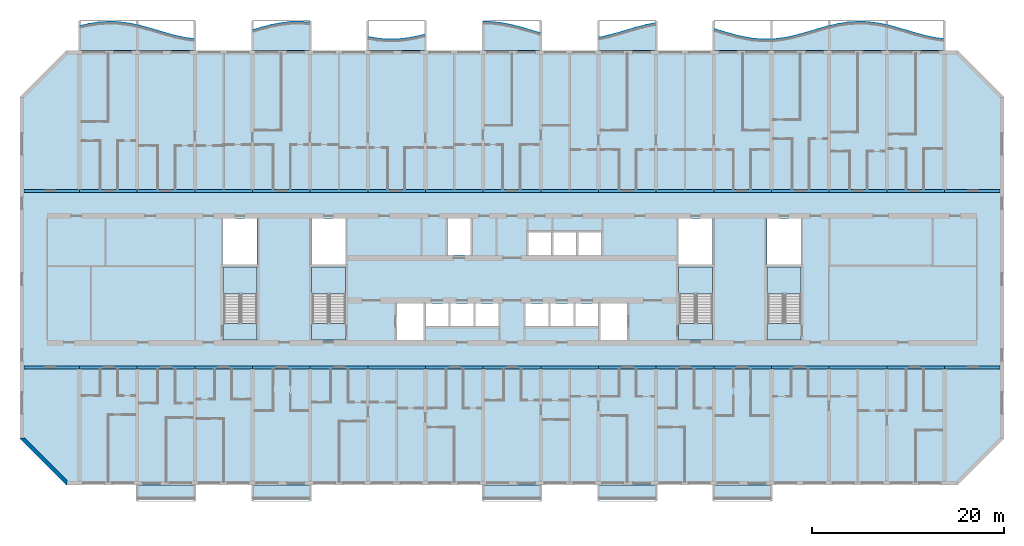
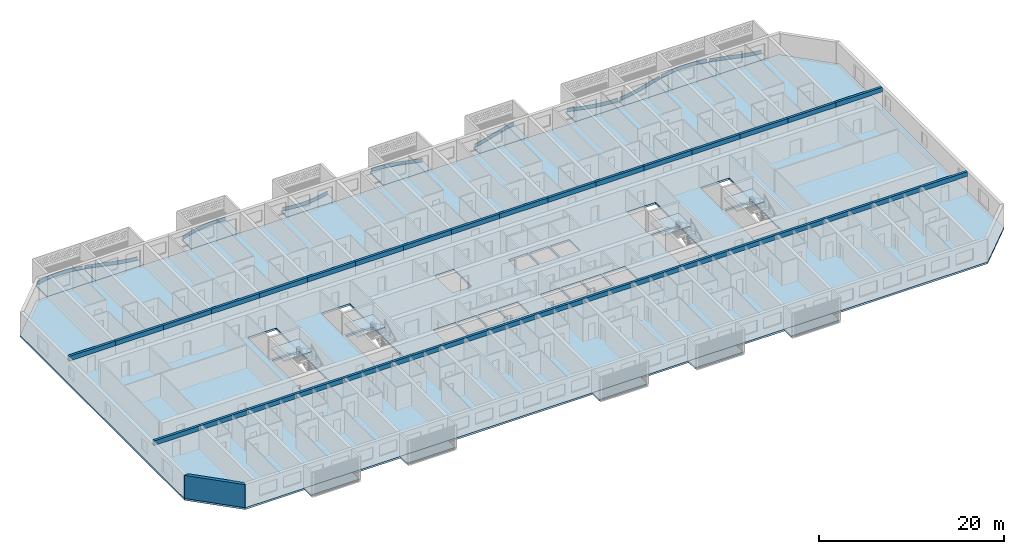
# One storey, part 1 of 40: 34 beams, 24 slabs, 10 plates, 1 wall, 4 elements without a shape of their own.
"""IFC4 building model written with IfcOpenShell, lengths in metres."""

from ifc_helpers import new_model, si_unit, direction, frame, origin, origin_2d, place, context, subcontext, project, spatial, polyline, rectangle, outline, extrude, source, transform, mapped, material, layer, layer_set, material_profile, profile_set, type_object, element, aggregate, save


model = new_model("IFC4")

# Units and contexts
model_context = context("Model", 3, precision=1e-05, world=origin(), true_north=direction((0.0, 1.0)))
body_context = subcontext(model_context, "Body", "Model", "MODEL_VIEW")
ifc_project = project(units=[si_unit("LENGTHUNIT", "METRE"), si_unit("AREAUNIT", "SQUARE_METRE"), si_unit("VOLUMEUNIT", "CUBIC_METRE"), si_unit("PLANEANGLEUNIT", "RADIAN"), si_unit("MASSUNIT", "GRAM", prefix="KILO")], contexts=[model_context])

# Site, building, storey
site_placement = place(None, origin())
site = spatial("IfcSite", under=ifc_project, at=site_placement, CompositionType="ELEMENT")
building_placement = place(site_placement, origin())
building = spatial("IfcBuilding", under=site, at=building_placement, Name="Poui Terraces", CompositionType="ELEMENT")
storey_placement = place(building_placement, frame((0.0, 0.0, 36.60009765625)))
storey = spatial("IfcBuildingStorey", under=building, at=storey_placement, Name="L09", CompositionType="ELEMENT", Elevation=36.60009765625)

# Beams
ifc_material_1 = material(Name="Concrete 80 MPa", Category="concrete")
ifc_material_profile = material_profile(ifc_material_1, rectangle(XDim=0.300048828125, YDim=0.60009765625, at=origin_2d()), Name="RC 300x600")
ifc_profile_set = profile_set([ifc_material_profile], Name="Concrete 80 MPa")
beam_type = type_object("IfcBeamType", Name="COUPLING BEAM 300x600 80MPa", PredefinedType="BEAM", material=ifc_profile_set)
shared_shape_1 = source(origin(), body_context, "Body", "SweptSolid", [
    extrude(rectangle(XDim=0.300048828125, YDim=0.60009765625, at=origin_2d()), origin(), (0.0, 0.0, 1.0), 6.0),
])
for number, where, z_axis, x_axis, name in (
    (1, (6.0, 12.0, 2.75), (1.0, 0.0, 0.0), (0.0, 1.0, 0.0), "COUPLING BEAM LINE B BAY 2"),
    (2, (12.0, 12.0, 2.75), (1.0, 0.0, 0.0), (0.0, 1.0, 0.0), "COUPLING BEAM LINE B BAY 3"),
    (3, (18.0, 12.0, 2.75), (1.0, 0.0, 0.0), (0.0, 1.0, 0.0), "COUPLING BEAM LINE B BAY 4"),
    (4, (24.0, 12.0, 2.75), (1.0, 0.0, 0.0), (0.0, 1.0, 0.0), "COUPLING BEAM LINE B BAY 5"),
    (5, (30.0, 12.0, 2.75), (1.0, 0.0, 0.0), (0.0, 1.0, 0.0), "COUPLING BEAM LINE B BAY 6"),
    (6, (36.0, 12.0, 2.75), (1.0, 0.0, 0.0), (0.0, 1.0, 0.0), "COUPLING BEAM LINE B BAY 7"),
    (7, (42.0, 12.0, 2.75), (1.0, 0.0, 0.0), (0.0, 1.0, 0.0), "COUPLING BEAM LINE B BAY 8"),
    (8, (48.0, 12.0, 2.75), (1.0, 0.0, 0.0), (0.0, 1.0, 0.0), "COUPLING BEAM LINE B BAY 9"),
    (9, (54.0, 12.0, 2.75), (1.0, 0.0, 0.0), (0.0, 1.0, 0.0), "COUPLING BEAM LINE B BAY 10"),
    (10, (60.0, 12.0, 2.75), (1.0, 0.0, 0.0), (0.0, 1.0, 0.0), "COUPLING BEAM LINE B BAY 11"),
    (11, (66.0, 12.0, 2.75), (1.0, 0.0, 0.0), (0.0, 1.0, 0.0), "COUPLING BEAM LINE B BAY 12"),
    (12, (72.0, 12.0, 2.75), (1.0, 0.0, 0.0), (0.0, 1.0, 0.0), "COUPLING BEAM LINE B BAY 13"),
    (13, (78.0, 12.0, 2.75), (1.0, 0.0, 0.0), (0.0, 1.0, 0.0), "COUPLING BEAM LINE B BAY 14"),
    (14, (84.0, 12.0, 2.75), (1.0, 0.0, 0.0), (0.0, 1.0, 0.0), "COUPLING BEAM LINE B BAY 15"),
    (15, (90.0, 12.0, 2.75), (1.0, 0.0, 0.0), (0.0, 1.0, 0.0), "COUPLING BEAM LINE B BAY 16"),
    (16, (6.0, 30.39990234375, 2.75), (1.0, 0.0, 0.0), (0.0, 1.0, 0.0), "COUPLING BEAM LINE E BAY 2"),
    (17, (12.0, 30.39990234375, 2.75), (1.0, 0.0, 0.0), (0.0, 1.0, 0.0), "COUPLING BEAM LINE E BAY 3"),
    (18, (18.0, 30.39990234375, 2.75), (1.0, 0.0, 0.0), (0.0, 1.0, 0.0), "COUPLING BEAM LINE E BAY 4"),
    (19, (24.0, 30.39990234375, 2.75), (1.0, 0.0, 0.0), (0.0, 1.0, 0.0), "COUPLING BEAM LINE E BAY 5"),
    (20, (30.0, 30.39990234375, 2.75), (1.0, 0.0, 0.0), (0.0, 1.0, 0.0), "COUPLING BEAM LINE E BAY 6"),
    (21, (36.0, 30.39990234375, 2.75), (1.0, 0.0, 0.0), (0.0, 1.0, 0.0), "COUPLING BEAM LINE E BAY 7"),
    (22, (42.0, 30.39990234375, 2.75), (1.0, 0.0, 0.0), (0.0, 1.0, 0.0), "COUPLING BEAM LINE E BAY 8"),
    (23, (48.0, 30.39990234375, 2.75), (1.0, 0.0, 0.0), (0.0, 1.0, 0.0), "COUPLING BEAM LINE E BAY 9"),
    (24, (54.0, 30.39990234375, 2.75), (1.0, 0.0, 0.0), (0.0, 1.0, 0.0), "COUPLING BEAM LINE E BAY 10"),
    (25, (60.0, 30.39990234375, 2.75), (1.0, 0.0, 0.0), (0.0, 1.0, 0.0), "COUPLING BEAM LINE E BAY 11"),
    (26, (66.0, 30.39990234375, 2.75), (1.0, 0.0, 0.0), (0.0, 1.0, 0.0), "COUPLING BEAM LINE E BAY 12"),
    (27, (72.0, 30.39990234375, 2.75), (1.0, 0.0, 0.0), (0.0, 1.0, 0.0), "COUPLING BEAM LINE E BAY 13"),
    (28, (78.0, 30.39990234375, 2.75), (1.0, 0.0, 0.0), (0.0, 1.0, 0.0), "COUPLING BEAM LINE E BAY 14"),
    (29, (84.0, 30.39990234375, 2.75), (1.0, 0.0, 0.0), (0.0, 1.0, 0.0), "COUPLING BEAM LINE E BAY 15"),
    (30, (90.0, 30.39990234375, 2.75), (1.0, 0.0, 0.0), (0.0, 1.0, 0.0), "COUPLING BEAM LINE E BAY 16"),
):
    element("IfcBeam", number, at=place(storey_placement, frame(where, z_axis=z_axis, x_axis=x_axis)), inside=storey, type_object=beam_type, Name=name, PredefinedType="BEAM", context=body_context, shape_type="MappedRepresentation", body=[
        mapped(shared_shape_1, transform((0.0, 0.0, 0.0))),
    ])
shared_shape_2 = source(origin(), body_context, "Body", "SweptSolid", [
    extrude(rectangle(XDim=0.300048828125, YDim=0.60009765625, at=origin_2d()), origin(), (0.0, 0.0, 1.0), 5.800048828125),
])
for number, where, z_axis, x_axis, name in (
    (31, (0.199951171875, 12.0, 2.75), (1.0, 0.0, 0.0), (0.0, 1.0, 0.0), "COUPLING BEAM LINE B BAY 1"),
    (32, (96.0, 12.0, 2.75), (1.0, 0.0, 0.0), (0.0, 1.0, 0.0), "COUPLING BEAM LINE B BAY 17"),
    (33, (0.199951171875, 30.39990234375, 2.75), (1.0, 0.0, 0.0), (0.0, 1.0, 0.0), "COUPLING BEAM LINE E BAY 1"),
    (34, (96.0, 30.39990234375, 2.75), (1.0, 0.0, 0.0), (0.0, 1.0, 0.0), "COUPLING BEAM LINE E BAY 17"),
):
    element("IfcBeam", number, at=place(storey_placement, frame(where, z_axis=z_axis, x_axis=x_axis)), inside=storey, type_object=beam_type, Name=name, PredefinedType="BEAM", context=body_context, shape_type="MappedRepresentation", body=[
        mapped(shared_shape_2, transform((0.0, 0.0, 0.0))),
    ])

# Slabs
ifc_material_2 = material(Name="Precast concrete 40 MPa", Category="concrete")
ifc_layer_1 = layer(ifc_material_2, 0.199951171875)
ifc_layer_set_1 = layer_set([ifc_layer_1], Name="Precast concrete 40 MPa")
slab_type_1 = type_object("IfcSlabType", Name="BALCONY SLAB 200", PredefinedType="FLOOR", material=ifc_layer_set_1)
slab_1_placement = place(storey_placement, frame((0.0, 0.0, -0.2001953125)))
element("IfcSlab", 35, at=slab_1_placement, inside=storey, type_object=slab_type_1, Name="BALCONY SLAB", PredefinedType="FLOOR", context=body_context, shape_type="SweptSolid", body=[
    extrude(outline(polyline([(6.0, 45.0), (12.0, 45.0), (12.0, 47.600341796875), (11.0, 47.800048828125), (10.0, 47.920166015625), (9.0, 47.947998046875), (8.0, 47.880859375), (7.0, 47.7255859375), (6.0, 47.498291015625), (6.0, 45.0)])), origin(), (0.0, 0.0, 1.0), 0.2001953125),
])
slab_2_placement = place(storey_placement, frame((0.0, 0.0, -0.2001953125)))
element("IfcSlab", 36, at=slab_2_placement, inside=storey, type_object=slab_type_1, Name="BALCONY SLAB", PredefinedType="FLOOR", context=body_context, shape_type="SweptSolid", body=[
    extrude(outline(polyline([(12.0, 45.0), (18.0, 45.0), (18.0, 46.143798828125), (17.0, 46.278076171875), (16.0, 46.489501953125), (15.0, 46.755615234375), (14.0, 47.0498046875), (13.0, 47.34130859375), (12.0, 47.600341796875), (12.0, 45.0)])), origin(), (0.0, 0.0, 1.0), 0.2001953125),
])
slab_3_placement = place(storey_placement, frame((0.0, 0.0, -0.2001953125)))
element("IfcSlab", 37, at=slab_3_placement, inside=storey, type_object=slab_type_1, Name="BALCONY SLAB", PredefinedType="FLOOR", context=body_context, shape_type="SweptSolid", body=[
    extrude(outline(polyline([(24.0, 45.0), (30.0, 45.0), (30.0, 47.87109375), (29.0, 47.94580078125), (28.0, 47.926025390625), (27.0, 47.8134765625), (26.0, 47.61962890625), (25.0, 47.364501953125), (24.0, 47.07470703125), (24.0, 45.0)])), origin(), (0.0, 0.0, 1.0), 0.2001953125),
])
slab_4_placement = place(storey_placement, frame((0.0, 0.0, -0.2001953125)))
element("IfcSlab", 38, at=slab_4_placement, inside=storey, type_object=slab_type_1, Name="BALCONY SLAB", PredefinedType="FLOOR", context=body_context, shape_type="SweptSolid", body=[
    extrude(outline(polyline([(36.0, 45.0), (42.0, 45.0), (42.0, 46.6396484375), (41.0, 46.393310546875), (40.0, 46.2119140625), (39.0, 46.114013671875), (38.0, 46.110107421875), (37.0, 46.2001953125), (36.0, 46.375244140625), (36.0, 45.0)])), origin(), (0.0, 0.0, 1.0), 0.2001953125),
])
slab_5_placement = place(storey_placement, frame((0.0, 0.0, -0.2001953125)))
element("IfcSlab", 39, at=slab_5_placement, inside=storey, type_object=slab_type_1, Name="BALCONY SLAB", PredefinedType="FLOOR", context=body_context, shape_type="SweptSolid", body=[
    extrude(outline(polyline([(48.0, 45.0), (54.0, 45.0), (54.0, 46.755615234375), (53.0, 47.0498046875), (52.0, 47.34130859375), (51.0, 47.600341796875), (50.0, 47.800048828125), (49.0, 47.920166015625), (48.0, 47.947998046875), (48.0, 45.0)])), origin(), (0.0, 0.0, 1.0), 0.2001953125),
])
slab_6_placement = place(storey_placement, frame((0.0, 0.0, -0.2001953125)))
element("IfcSlab", 40, at=slab_6_placement, inside=storey, type_object=slab_type_1, Name="BALCONY SLAB", PredefinedType="FLOOR", context=body_context, shape_type="SweptSolid", body=[
    extrude(outline(polyline([(60.0, 45.0), (66.0, 45.0), (66.0, 47.8134765625), (65.0, 47.61962890625), (64.0, 47.364501953125), (63.0, 47.07470703125), (62.0, 46.779541015625), (61.0, 46.509765625), (60.0, 46.29296875), (60.0, 45.0)])), origin(), (0.0, 0.0, 1.0), 0.2001953125),
])
slab_7_placement = place(storey_placement, frame((0.0, 0.0, -0.2001953125)))
element("IfcSlab", 41, at=slab_7_placement, inside=storey, type_object=slab_type_1, Name="BALCONY SLAB", PredefinedType="FLOOR", context=body_context, shape_type="SweptSolid", body=[
    extrude(outline(polyline([(72.0, 45.0), (78.0, 45.0), (78.0, 46.114013671875), (77.0, 46.110107421875), (76.0, 46.2001953125), (75.0, 46.375244140625), (74.0, 46.6171875), (73.0, 46.901123046875), (72.0, 47.19775390625), (72.0, 45.0)])), origin(), (0.0, 0.0, 1.0), 0.2001953125),
])
slab_8_placement = place(storey_placement, frame((0.0, 0.0, -0.2001953125)))
element("IfcSlab", 42, at=slab_8_placement, inside=storey, type_object=slab_type_1, Name="BALCONY SLAB", PredefinedType="FLOOR", context=body_context, shape_type="SweptSolid", body=[
    extrude(outline(polyline([(78.0, 45.0), (84.0, 45.0), (84.0, 47.498291015625), (83.0, 47.22216796875), (82.0, 46.92578125), (81.0, 46.6396484375), (80.0, 46.393310546875), (79.0, 46.2119140625), (78.0, 46.114013671875), (78.0, 45.0)])), origin(), (0.0, 0.0, 1.0), 0.2001953125),
])
slab_9_placement = place(storey_placement, frame((0.0, 0.0, -0.2001953125)))
element("IfcSlab", 43, at=slab_9_placement, inside=storey, type_object=slab_type_1, Name="BALCONY SLAB", PredefinedType="FLOOR", context=body_context, shape_type="SweptSolid", body=[
    extrude(outline(polyline([(84.0, 45.0), (90.0, 45.0), (90.0, 47.600341796875), (89.0, 47.800048828125), (88.0, 47.920166015625), (87.0, 47.947998046875), (86.0, 47.880859375), (85.0, 47.7255859375), (84.0, 47.498291015625), (84.0, 45.0)])), origin(), (0.0, 0.0, 1.0), 0.2001953125),
])
slab_10_placement = place(storey_placement, frame((0.0, 0.0, -0.2001953125)))
element("IfcSlab", 44, at=slab_10_placement, inside=storey, type_object=slab_type_1, Name="BALCONY SLAB", PredefinedType="FLOOR", context=body_context, shape_type="SweptSolid", body=[
    extrude(outline(polyline([(90.0, 45.0), (96.0, 45.0), (96.0, 46.143798828125), (95.0, 46.278076171875), (94.0, 46.489501953125), (93.0, 46.755615234375), (92.0, 47.0498046875), (91.0, 47.34130859375), (90.0, 47.600341796875), (90.0, 45.0)])), origin(), (0.0, 0.0, 1.0), 0.2001953125),
])

# Stair, slabs
stair_type = type_object("IfcStairType", Name="EXIT STAIR 1650 80 MPA", PredefinedType="HALF_TURN_STAIR", material=ifc_material_1)
stair_1_placement = place(storey_placement, origin())
stair_1 = element("IfcStair", 45, at=stair_1_placement, inside=storey, type_object=stair_type, Name="L09 CORE STAIR EAST", PredefinedType="HALF_TURN_STAIR")
ifc_layer_2 = layer(ifc_material_1, 0.199951171875)
ifc_layer_set_2 = layer_set([ifc_layer_2], Name="Concrete 80 MPa")
slab_type_2 = type_object("IfcSlabType", Name="STAIR LANDING 200 80 MPA", PredefinedType="LANDING", material=ifc_layer_set_2)
slab_11_placement = place(storey_placement, frame((0.0, 0.0, 1.44970703125)))
slab_11 = element("IfcSlab", 46, at=slab_11_placement, type_object=slab_type_2, Name="ST-CE landing 1", PredefinedType="LANDING", context=body_context, shape_type="SweptSolid", body=[
    extrude(outline(polyline([(68.324951171875, 19.679931640625), (71.875, 19.679931640625), (71.875, 22.47509765625), (68.324951171875, 22.47509765625), (68.324951171875, 19.679931640625)])), origin(), (0.0, 0.0, 1.0), 0.2001953125),
])
slab_12_placement = place(storey_placement, frame((0.0, 0.0, -0.2001953125)))
slab_12 = element("IfcSlab", 47, at=slab_12_placement, type_object=slab_type_2, Name="ST-CE landing 2", PredefinedType="LANDING", context=body_context, shape_type="SweptSolid", body=[
    extrude(outline(polyline([(68.324951171875, 14.89990234375), (71.875, 14.89990234375), (71.875, 16.60009765625), (68.324951171875, 16.60009765625), (68.324951171875, 14.89990234375)])), origin(), (0.0, 0.0, 1.0), 0.2001953125),
])
aggregate(stair_1, [slab_11, slab_12])

stair_2_placement = place(storey_placement, origin())
stair_2 = element("IfcStair", 48, at=stair_2_placement, inside=storey, type_object=stair_type, Name="L09 CORE STAIR WEST", PredefinedType="HALF_TURN_STAIR")
slab_13_placement = place(storey_placement, frame((0.0, 0.0, 1.44970703125)))
slab_13 = element("IfcSlab", 49, at=slab_13_placement, type_object=slab_type_2, Name="ST-CW landing 1", PredefinedType="LANDING", context=body_context, shape_type="SweptSolid", body=[
    extrude(outline(polyline([(30.125, 19.679931640625), (33.675048828125, 19.679931640625), (33.675048828125, 22.47509765625), (30.125, 22.47509765625), (30.125, 19.679931640625)])), origin(), (0.0, 0.0, 1.0), 0.2001953125),
])
slab_14_placement = place(storey_placement, frame((0.0, 0.0, -0.2001953125)))
slab_14 = element("IfcSlab", 50, at=slab_14_placement, type_object=slab_type_2, Name="ST-CW landing 2", PredefinedType="LANDING", context=body_context, shape_type="SweptSolid", body=[
    extrude(outline(polyline([(30.125, 14.89990234375), (33.675048828125, 14.89990234375), (33.675048828125, 16.60009765625), (30.125, 16.60009765625), (30.125, 14.89990234375)])), origin(), (0.0, 0.0, 1.0), 0.2001953125),
])
aggregate(stair_2, [slab_13, slab_14])

stair_3_placement = place(storey_placement, origin())
stair_3 = element("IfcStair", 51, at=stair_3_placement, inside=storey, type_object=stair_type, Name="L09 TIP STAIR EAST", PredefinedType="HALF_TURN_STAIR")
slab_15_placement = place(storey_placement, frame((0.0, 0.0, 1.44970703125)))
slab_15 = element("IfcSlab", 52, at=slab_15_placement, type_object=slab_type_2, Name="ST-E landing 1", PredefinedType="LANDING", context=body_context, shape_type="SweptSolid", body=[
    extrude(outline(polyline([(77.52490234375, 19.679931640625), (81.074951171875, 19.679931640625), (81.074951171875, 22.47509765625), (77.52490234375, 22.47509765625), (77.52490234375, 19.679931640625)])), origin(), (0.0, 0.0, 1.0), 0.2001953125),
])
slab_16_placement = place(storey_placement, frame((0.0, 0.0, -0.2001953125)))
slab_16 = element("IfcSlab", 53, at=slab_16_placement, type_object=slab_type_2, Name="ST-E landing 2", PredefinedType="LANDING", context=body_context, shape_type="SweptSolid", body=[
    extrude(outline(polyline([(77.52490234375, 14.89990234375), (81.074951171875, 14.89990234375), (81.074951171875, 16.60009765625), (77.52490234375, 16.60009765625), (77.52490234375, 14.89990234375)])), origin(), (0.0, 0.0, 1.0), 0.2001953125),
])
aggregate(stair_3, [slab_15, slab_16])

stair_4_placement = place(storey_placement, origin())
stair_4 = element("IfcStair", 54, at=stair_4_placement, inside=storey, type_object=stair_type, Name="L09 TIP STAIR WEST", PredefinedType="HALF_TURN_STAIR")
slab_17_placement = place(storey_placement, frame((0.0, 0.0, 1.44970703125)))
slab_17 = element("IfcSlab", 55, at=slab_17_placement, type_object=slab_type_2, Name="ST-W landing 1", PredefinedType="LANDING", context=body_context, shape_type="SweptSolid", body=[
    extrude(outline(polyline([(20.925048828125, 19.679931640625), (24.47509765625, 19.679931640625), (24.47509765625, 22.47509765625), (20.925048828125, 22.47509765625), (20.925048828125, 19.679931640625)])), origin(), (0.0, 0.0, 1.0), 0.2001953125),
])
slab_18_placement = place(storey_placement, frame((0.0, 0.0, -0.2001953125)))
slab_18 = element("IfcSlab", 56, at=slab_18_placement, type_object=slab_type_2, Name="ST-W landing 2", PredefinedType="LANDING", context=body_context, shape_type="SweptSolid", body=[
    extrude(outline(polyline([(20.925048828125, 14.89990234375), (24.47509765625, 14.89990234375), (24.47509765625, 16.60009765625), (20.925048828125, 16.60009765625), (20.925048828125, 14.89990234375)])), origin(), (0.0, 0.0, 1.0), 0.2001953125),
])
aggregate(stair_4, [slab_17, slab_18])

# Plates
ifc_layer_3 = layer(ifc_material_2, 0.080078125)
ifc_layer_set_3 = layer_set([ifc_layer_3], Name="Precast concrete 40 MPa")
plate_type = type_object("IfcPlateType", Name="SUNSHADE UPSTAND 80", PredefinedType="SHEET", material=ifc_layer_set_3)
plate_1_placement = place(storey_placement, origin())
element("IfcPlate", 57, at=plate_1_placement, inside=storey, type_object=plate_type, Name="SUNSHADE UPSTAND", PredefinedType="SHEET", context=body_context, shape_type="SweptSolid", body=[
    extrude(outline(polyline([(6.99267578125, 47.719970703125), (6.1162109375, 47.52392578125), (6.1337890625, 47.44580078125), (7.00732421875, 47.64111328125), (8.00439453125, 47.7958984375), (9.000732421875, 47.86279296875), (9.9970703125, 47.835205078125), (10.993896484375, 47.715576171875), (11.8671875, 47.544921875), (11.8828125, 47.623291015625), (11.006103515625, 47.794677734375), (10.0029296875, 47.9150390625), (8.999267578125, 47.943115234375), (7.99560546875, 47.87548828125), (6.99267578125, 47.719970703125)])), origin(), (0.0, 0.0, 1.0), 0.449951171875),
])
plate_2_placement = place(storey_placement, origin())
element("IfcPlate", 58, at=plate_2_placement, inside=storey, type_object=plate_type, Name="SUNSHADE UPSTAND", PredefinedType="SHEET", context=body_context, shape_type="SweptSolid", body=[
    extrude(outline(polyline([(13.0107421875, 47.3349609375), (12.135009765625, 47.564453125), (12.114990234375, 47.487060546875), (12.9892578125, 47.2578125), (13.98876953125, 46.96630859375), (14.9892578125, 46.672119140625), (15.99072265625, 46.405517578125), (16.9931640625, 46.193603515625), (17.869384765625, 46.0712890625), (17.880615234375, 46.150390625), (17.0068359375, 46.2724609375), (16.00927734375, 46.4833984375), (15.0107421875, 46.749267578125), (14.01123046875, 47.043212890625), (13.0107421875, 47.3349609375)])), origin(), (0.0, 0.0, 1.0), 0.449951171875),
])
plate_3_placement = place(storey_placement, origin())
element("IfcPlate", 59, at=plate_3_placement, inside=storey, type_object=plate_type, Name="SUNSHADE UPSTAND", PredefinedType="SHEET", context=body_context, shape_type="SweptSolid", body=[
    extrude(outline(polyline([(24.989501953125, 47.358154296875), (24.114013671875, 47.105224609375), (24.135986328125, 47.0283203125), (25.010498046875, 47.281005859375), (26.0087890625, 47.535400390625), (27.006103515625, 47.728759765625), (28.002685546875, 47.841064453125), (28.9990234375, 47.86083984375), (29.872314453125, 47.800537109375), (29.877685546875, 47.880126953125), (29.856201171875, 47.8818359375), (29.0009765625, 47.94091796875), (27.997314453125, 47.9208984375), (26.993896484375, 47.807861328125), (25.9912109375, 47.613525390625), (24.989501953125, 47.358154296875)])), origin(), (0.0, 0.0, 1.0), 0.449951171875),
])
plate_4_placement = place(storey_placement, origin())
element("IfcPlate", 60, at=plate_4_placement, inside=storey, type_object=plate_type, Name="SUNSHADE UPSTAND", PredefinedType="SHEET", context=body_context, shape_type="SweptSolid", body=[
    extrude(outline(polyline([(37.005126953125, 46.195068359375), (36.131591796875, 46.34375), (36.118408203125, 46.264892578125), (36.994873046875, 46.115478515625), (37.998291015625, 46.025146484375), (39.001953125, 46.029052734375), (40.005615234375, 46.127197265625), (41.00830078125, 46.30908203125), (41.884521484375, 46.522216796875), (41.865478515625, 46.60009765625), (40.99169921875, 46.387451171875), (39.994384765625, 46.206298828125), (38.998046875, 46.10888671875), (38.001708984375, 46.10498046875), (37.005126953125, 46.195068359375)])), origin(), (0.0, 0.0, 1.0), 0.449951171875),
])
plate_5_placement = place(storey_placement, origin())
element("IfcPlate", 61, at=plate_5_placement, inside=storey, type_object=plate_type, Name="SUNSHADE UPSTAND", PredefinedType="SHEET", context=body_context, shape_type="SweptSolid", body=[
    extrude(outline(polyline([(49.003173828125, 47.9150390625), (48.16748046875, 47.943359375), (48.126220703125, 47.9443359375), (48.12353515625, 47.86474609375), (48.996826171875, 47.835205078125), (49.99365234375, 47.715576171875), (50.9912109375, 47.516357421875), (51.989501953125, 47.2578125), (52.98876953125, 46.966552734375), (53.86376953125, 46.708251953125), (53.88623046875, 46.784912109375), (53.01123046875, 47.043212890625), (52.010498046875, 47.3349609375), (51.0087890625, 47.59423828125), (50.00634765625, 47.794677734375), (49.003173828125, 47.9150390625)])), origin(), (0.0, 0.0, 1.0), 0.449951171875),
])
plate_6_placement = place(storey_placement, origin())
element("IfcPlate", 62, at=plate_6_placement, inside=storey, type_object=plate_type, Name="SUNSHADE UPSTAND", PredefinedType="SHEET", context=body_context, shape_type="SweptSolid", body=[
    extrude(outline(polyline([(60.990478515625, 46.503662109375), (60.116455078125, 46.310546875), (60.133544921875, 46.232421875), (61.009521484375, 46.42578125), (62.010986328125, 46.696044921875), (63.01123046875, 46.9912109375), (64.010498046875, 47.281005859375), (65.0087890625, 47.53564453125), (65.8828125, 47.708984375), (65.8671875, 47.78759765625), (64.9912109375, 47.613525390625), (63.989501953125, 47.358154296875), (62.98876953125, 47.068115234375), (61.989013671875, 46.773193359375), (60.990478515625, 46.503662109375)])), origin(), (0.0, 0.0, 1.0), 0.449951171875),
])
plate_7_placement = place(storey_placement, origin())
element("IfcPlate", 63, at=plate_7_placement, inside=storey, type_object=plate_type, Name="SUNSHADE UPSTAND", PredefinedType="SHEET", context=body_context, shape_type="SweptSolid", body=[
    extrude(outline(polyline([(73.01123046875, 46.89453125), (72.136474609375, 47.154541015625), (72.113525390625, 47.077880859375), (72.98876953125, 46.81787109375), (73.98974609375, 46.53369140625), (74.99169921875, 46.291259765625), (75.99462890625, 46.115478515625), (76.998291015625, 46.025146484375), (77.875, 46.023193359375), (77.875, 46.103271484375), (77.001708984375, 46.10498046875), (76.00537109375, 46.19482421875), (75.00830078125, 46.369384765625), (74.01025390625, 46.611083984375), (73.01123046875, 46.89453125)])), origin(), (0.0, 0.0, 1.0), 0.449951171875),
])
plate_8_placement = place(storey_placement, origin())
element("IfcPlate", 64, at=plate_8_placement, inside=storey, type_object=plate_type, Name="SUNSHADE UPSTAND", PredefinedType="SHEET", context=body_context, shape_type="SweptSolid", body=[
    extrude(outline(polyline([(78.994384765625, 46.206298828125), (78.120849609375, 46.115966796875), (78.129150390625, 46.03662109375), (79.005615234375, 46.127197265625), (80.00830078125, 46.30908203125), (81.01025390625, 46.55615234375), (82.01123046875, 46.84228515625), (83.010986328125, 47.138671875), (83.8857421875, 47.38232421875), (83.8642578125, 47.45947265625), (82.989013671875, 47.215576171875), (81.98876953125, 46.919189453125), (80.98974609375, 46.63330078125), (79.99169921875, 46.387451171875), (78.994384765625, 46.206298828125)])), origin(), (0.0, 0.0, 1.0), 0.449951171875),
])
plate_9_placement = place(storey_placement, origin())
element("IfcPlate", 65, at=plate_9_placement, inside=storey, type_object=plate_type, Name="SUNSHADE UPSTAND", PredefinedType="SHEET", context=body_context, shape_type="SweptSolid", body=[
    extrude(outline(polyline([(84.99267578125, 47.719970703125), (84.1162109375, 47.52392578125), (84.1337890625, 47.44580078125), (85.00732421875, 47.64111328125), (86.00439453125, 47.7958984375), (87.000732421875, 47.86279296875), (87.9970703125, 47.835205078125), (88.993896484375, 47.715576171875), (89.8671875, 47.544921875), (89.8828125, 47.623291015625), (89.006103515625, 47.794677734375), (88.0029296875, 47.9150390625), (86.999267578125, 47.943115234375), (85.99560546875, 47.87548828125), (84.99267578125, 47.719970703125)])), origin(), (0.0, 0.0, 1.0), 0.449951171875),
])
plate_10_placement = place(storey_placement, origin())
element("IfcPlate", 66, at=plate_10_placement, inside=storey, type_object=plate_type, Name="SUNSHADE UPSTAND", PredefinedType="SHEET", context=body_context, shape_type="SweptSolid", body=[
    extrude(outline(polyline([(91.0107421875, 47.3349609375), (90.135009765625, 47.564453125), (90.114990234375, 47.487060546875), (90.9892578125, 47.2578125), (91.98876953125, 46.96630859375), (92.9892578125, 46.672119140625), (93.99072265625, 46.405517578125), (94.9931640625, 46.193603515625), (95.869384765625, 46.0712890625), (95.880615234375, 46.150390625), (95.0068359375, 46.2724609375), (94.00927734375, 46.4833984375), (93.0107421875, 46.749267578125), (92.01123046875, 47.043212890625), (91.0107421875, 47.3349609375)])), origin(), (0.0, 0.0, 1.0), 0.449951171875),
])

# Slabs
ifc_material_3 = material(Name="Concrete 40 MPa", Category="concrete")
ifc_layer_4 = layer(ifc_material_3, 0.25)
ifc_layer_set_4 = layer_set([ifc_layer_4], Name="Concrete 40 MPa")
slab_type_3 = type_object("IfcSlabType", Name="FLOOR SLAB 250", PredefinedType="FLOOR", material=ifc_layer_set_4)
shared_shape_3 = source(origin(), body_context, "Body", "SweptSolid", [
    extrude(outline(polyline([(0.0, 0.0), (4.800048828125, -4.800048828125), (97.599853515625, -4.800048828125), (102.39990234375, 0.0), (102.39990234375, 35.599853515625), (97.599853515625, 40.39990234375), (4.800048828125, 40.39990234375), (0.0, 35.599853515625), (0.0, 0.0)]), holes=[polyline([(39.199951171875, 10.2998046875), (39.199951171875, 14.099853515625), (42.0, 14.099853515625), (42.0, 10.2998046875), (39.199951171875, 10.2998046875)]), polyline([(42.199951171875, 11.699951171875), (42.199951171875, 14.099853515625), (44.599853515625, 14.099853515625), (44.599853515625, 11.699951171875), (42.199951171875, 11.699951171875)]), polyline([(44.800048828125, 11.699951171875), (44.800048828125, 14.099853515625), (47.199951171875, 14.099853515625), (47.199951171875, 11.699951171875), (44.800048828125, 11.699951171875)]), polyline([(47.39990234375, 14.099853515625), (49.800048828125, 14.099853515625), (49.800048828125, 11.699951171875), (47.39990234375, 11.699951171875), (47.39990234375, 14.099853515625)]), polyline([(52.599853515625, 14.099853515625), (55.0, 14.099853515625), (55.0, 11.699951171875), (52.599853515625, 11.699951171875), (52.599853515625, 14.099853515625)]), polyline([(21.224853515625, 17.849853515625), (24.675048828125, 17.849853515625), (24.675048828125, 12.0), (24.675048828125, 10.2998046875), (21.125, 10.2998046875), (21.125, 12.0), (21.224853515625, 12.0), (21.224853515625, 17.849853515625)]), polyline([(30.425048828125, 17.849853515625), (33.875, 17.849853515625), (33.875, 12.0), (33.875, 10.2998046875), (30.324951171875, 10.2998046875), (30.324951171875, 12.0), (30.425048828125, 12.0), (30.425048828125, 17.849853515625)]), polyline([(21.125, 18.125), (21.125, 22.89990234375), (24.675048828125, 22.89990234375), (24.675048828125, 18.125), (21.125, 18.125)]), polyline([(30.324951171875, 22.89990234375), (33.875, 22.89990234375), (33.875, 18.125), (30.324951171875, 18.125), (30.324951171875, 22.89990234375)]), polyline([(44.5, 22.89990234375), (46.89990234375, 22.89990234375), (46.89990234375, 19.099853515625), (44.5, 19.099853515625), (44.5, 22.89990234375)]), polyline([(60.39990234375, 10.2998046875), (60.39990234375, 14.099853515625), (63.199951171875, 14.099853515625), (63.199951171875, 10.2998046875), (60.39990234375, 10.2998046875)]), polyline([(55.199951171875, 11.699951171875), (55.199951171875, 14.099853515625), (57.599853515625, 14.099853515625), (57.599853515625, 11.699951171875), (55.199951171875, 11.699951171875)]), polyline([(57.800048828125, 11.699951171875), (57.800048828125, 14.099853515625), (60.199951171875, 14.099853515625), (60.199951171875, 11.699951171875), (57.800048828125, 11.699951171875)]), polyline([(72.074951171875, 17.849853515625), (72.074951171875, 12.0), (72.074951171875, 10.2998046875), (68.52490234375, 10.2998046875), (68.52490234375, 12.0), (68.625, 12.0), (68.625, 17.849853515625), (72.074951171875, 17.849853515625)]), polyline([(81.27490234375, 17.849853515625), (81.27490234375, 12.0), (81.27490234375, 10.2998046875), (77.724853515625, 10.2998046875), (77.724853515625, 12.0), (77.824951171875, 12.0), (77.824951171875, 17.849853515625), (81.27490234375, 17.849853515625)]), polyline([(52.89990234375, 19.099853515625), (52.89990234375, 21.5), (55.300048828125, 21.5), (55.300048828125, 19.099853515625), (52.89990234375, 19.099853515625)]), polyline([(55.5, 19.099853515625), (55.5, 21.5), (57.89990234375, 21.5), (57.89990234375, 19.099853515625), (55.5, 19.099853515625)]), polyline([(58.099853515625, 19.099853515625), (58.099853515625, 21.5), (60.5, 21.5), (60.5, 19.099853515625), (58.099853515625, 19.099853515625)]), polyline([(68.52490234375, 22.89990234375), (72.074951171875, 22.89990234375), (72.074951171875, 18.125), (68.52490234375, 18.125), (68.52490234375, 22.89990234375)]), polyline([(77.724853515625, 22.89990234375), (81.27490234375, 22.89990234375), (81.27490234375, 18.125), (77.724853515625, 18.125), (77.724853515625, 22.89990234375)])]), origin(), (0.0, 0.0, 1.0), 0.250244140625),
])
slab_19_placement = place(storey_placement, frame((-0.199951171875, 4.60009765625, -0.250244140625)))
element("IfcSlab", 67, at=slab_19_placement, inside=storey, type_object=slab_type_3, Name="FLOOR SLAB", PredefinedType="FLOOR", context=body_context, shape_type="MappedRepresentation", body=[
    mapped(shared_shape_3, transform((0.0, 0.0, 0.0))),
])
ifc_layer_5 = layer(ifc_material_2, 0.199951171875)
ifc_layer_set_5 = layer_set([ifc_layer_5], Name="Precast concrete 40 MPa")
slab_type_4 = type_object("IfcSlabType", Name="REAR BALCONY SLAB 200", PredefinedType="FLOOR", material=ifc_layer_set_5)
shared_shape_4 = source(origin(), body_context, "Body", "SweptSolid", [
    extrude(outline(polyline([(0.0, 0.0), (6.0, 0.0), (6.0, 1.5), (0.0, 1.5), (0.0, 0.0)])), origin(), (0.0, 0.0, 1.0), 0.2001953125),
])
for number, where, name in (
    (68, (12.0, -1.699951171875, -0.2001953125), "REAR BALCONY SLAB"),
    (69, (24.0, -1.699951171875, -0.2001953125), "REAR BALCONY SLAB"),
    (70, (48.0, -1.699951171875, -0.2001953125), "REAR BALCONY SLAB"),
    (71, (60.0, -1.699951171875, -0.2001953125), "REAR BALCONY SLAB"),
    (72, (72.0, -1.699951171875, -0.2001953125), "REAR BALCONY SLAB"),
):
    element("IfcSlab", number, at=place(storey_placement, frame(where)), inside=storey, type_object=slab_type_4, Name=name, PredefinedType="FLOOR", context=body_context, shape_type="MappedRepresentation", body=[
        mapped(shared_shape_4, transform((0.0, 0.0, 0.0))),
    ])

# Wall
ifc_layer_6 = layer(ifc_material_2, 0.39990234375)
ifc_layer_set_6 = layer_set([ifc_layer_6], Name="Precast concrete 40 MPa")
wall_type = type_object("IfcWallType", Name="TERRACOTTA CLAD CHAMFER WALL 400", PredefinedType="STANDARD", material=ifc_layer_set_6)
wall_placement = place(storey_placement, origin())
element("IfcWall", 73, at=wall_placement, inside=storey, type_object=wall_type, Name="CHAMFER WALL CH07", PredefinedType="STANDARD", context=body_context, shape_type="SweptSolid", body=[
    extrude(outline(polyline([(-0.199951171875, 4.682861328125), (-0.199951171875, 4.60009765625), (4.60009765625, -0.199951171875), (4.682861328125, -0.199951171875), (4.682861328125, 0.28271484375), (0.28271484375, 4.682861328125), (-0.199951171875, 4.682861328125)])), origin(), (0.0, 0.0, 1.0), 3.0498046875),
])

save(model, "model.ifc")
